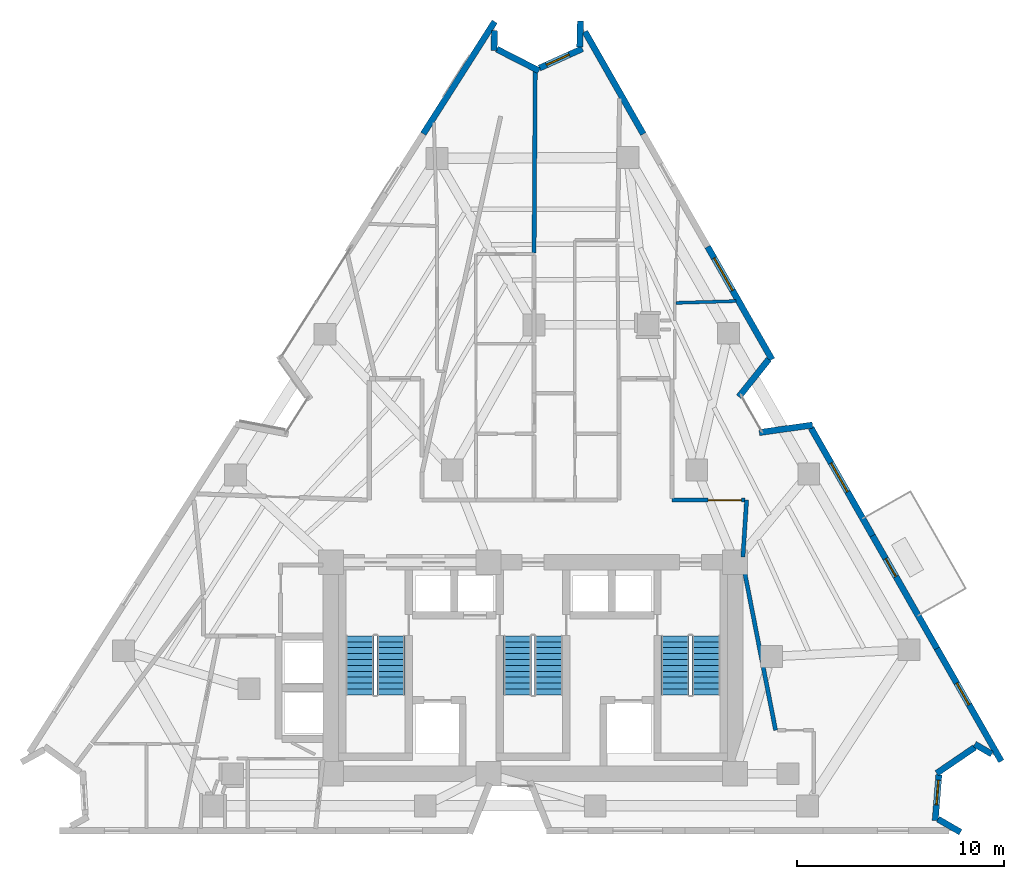
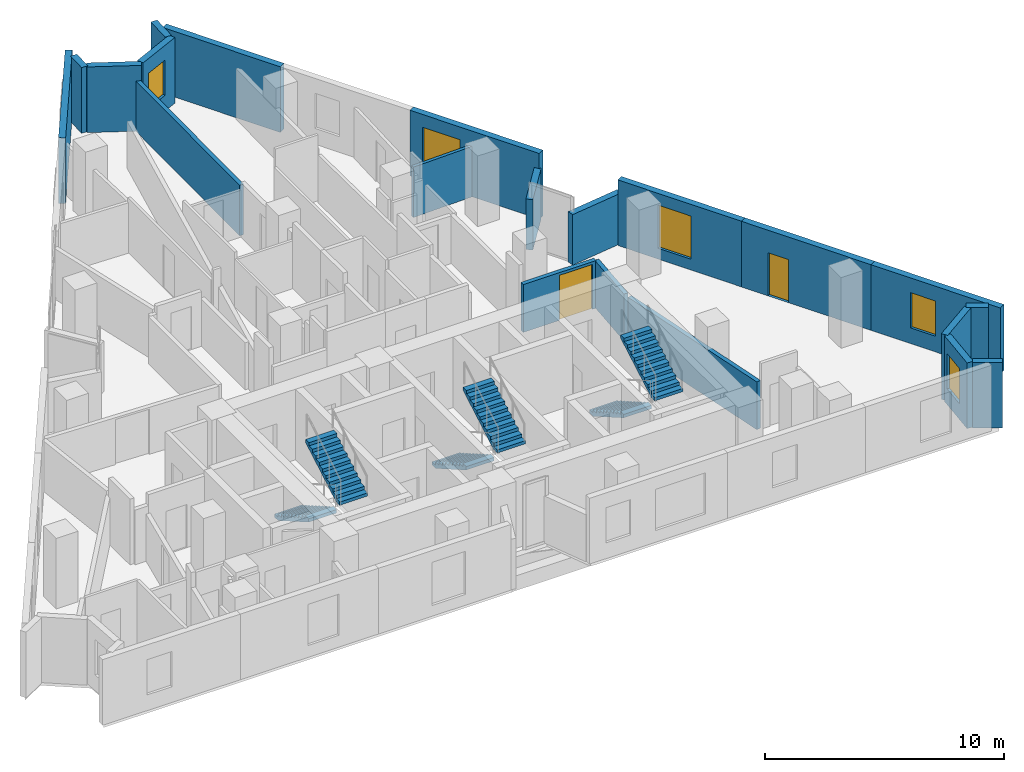
# One storey, part 9 of 11: 21 walls, 6 stair flights, 5 windows, 2 doors, 7 openings, 3 elements without a shape of their own.
"""IFC4 building model written with IfcOpenShell, lengths in metres."""

from ifc_helpers import new_model, si_unit, direction, frame, frame_2d, origin, place, context, subcontext, project, spatial, polyline, rectangle, outline, extrude, material, layer, layer_set, type_object, element, fill, aggregate, save


model = new_model("IFC4")

# Units and contexts
model_context = context("Model", 3, precision=1e-05, world=origin(), true_north=direction((0.0, 1.0)))
body_context = subcontext(model_context, "Body", "Model", "MODEL_VIEW")
ifc_project = project(units=[si_unit("LENGTHUNIT", "METRE"), si_unit("AREAUNIT", "SQUARE_METRE"), si_unit("VOLUMEUNIT", "CUBIC_METRE"), si_unit("PLANEANGLEUNIT", "RADIAN"), si_unit("MASSUNIT", "GRAM", prefix="KILO")], contexts=[model_context])

# Site, building, storey
site_placement = place(None, origin())
site = spatial("IfcSite", under=ifc_project, at=site_placement, CompositionType="ELEMENT")
building_placement = place(site_placement, origin())
building = spatial("IfcBuilding", under=site, at=building_placement, Name="Almagre Mirador Tower", CompositionType="ELEMENT")
storey_placement = place(building_placement, frame((0.0, 0.0, 146.39990234375)))
storey = spatial("IfcBuildingStorey", under=building, at=storey_placement, Name="L37", CompositionType="ELEMENT", Elevation=146.39990234375)

# Walls
ifc_material_1 = material(Name="Precast concrete C50/60", Category="concrete")
ifc_layer_1 = layer(ifc_material_1, 0.300048828125)
ifc_layer_set_1 = layer_set([ifc_layer_1], Name="Precast concrete C50/60")
wall_type_1 = type_object("IfcWallType", Name="WAL-EXT-300", PredefinedType="SOLIDWALL", material=ifc_layer_set_1)
wall_1_placement = place(storey_placement, frame((32.0078125, 35.418212890625, 0.0), z_axis=(0.0, 0.0, 1.0), x_axis=(0.537080002797, 0.84353130979, 0.0)))
element("IfcWall", 1, at=wall_1_placement, inside=storey, type_object=wall_type_1, Name="L37 expressed almagre precast frame wall 04", PredefinedType="SOLIDWALL", context=body_context, shape_type="SweptSolid", body=[
    extrude(rectangle(XDim=6.410888671875, YDim=0.300048828125, at=frame_2d((3.20556640625, 0.0))), origin(), (0.0, 0.0, 1.0), 3.35009765625),
])
wall_2_placement = place(storey_placement, frame((35.440673828125, 40.39111328125, 0.0), z_axis=(0.0, 0.0, 1.0), x_axis=(-0.023772687739, -0.999717389725, 0.0)))
element("IfcWall", 2, at=wall_2_placement, inside=storey, type_object=wall_type_1, Name="L37 expressed almagre precast frame wall 05", PredefinedType="SOLIDWALL", context=body_context, shape_type="SweptSolid", body=[
    extrude(rectangle(XDim=0.96533203125, YDim=0.300048828125, at=frame_2d((0.482666015625, 0.0))), origin(), (0.0, 0.0, 1.0), 3.35009765625),
])
wall_3_placement = place(storey_placement, frame((35.550048828125, 39.5, 0.0), z_axis=(0.0, 0.0, 1.0), x_axis=(0.890379913817, -0.455218199408, 0.0)))
element("IfcWall", 3, at=wall_3_placement, inside=storey, type_object=wall_type_1, Name="L37 expressed almagre precast frame wall 06", PredefinedType="SOLIDWALL", context=body_context, shape_type="SweptSolid", body=[
    extrude(rectangle(XDim=2.28857421875, YDim=0.300048828125, at=frame_2d((1.144287109375, 0.0))), origin(), (0.0, 0.0, 1.0), 3.35009765625),
])

# Wall, opening, window
wall_4_placement = place(storey_placement, frame((37.60888671875, 38.587890625, 0.0), z_axis=(0.0, 0.0, 1.0), x_axis=(0.911273073729, 0.411802604528, 0.0)))
wall_4 = element("IfcWall", 4, at=wall_4_placement, inside=storey, type_object=wall_type_1, Name="L37 expressed almagre precast frame wall 07", PredefinedType="SOLIDWALL", context=body_context, shape_type="SweptSolid", body=[
    extrude(rectangle(XDim=2.2724609375, YDim=0.300048828125, at=frame_2d((1.13623046875, 0.0))), origin(), (0.0, 0.0, 1.0), 3.35009765625),
])
opening_1_placement = place(wall_4_placement, frame((0.375, 0.0, 0.800048828125)))
opening_1 = element("IfcOpeningElement", 5, at=opening_1_placement, cuts=wall_4, Name="Opening WN-04", PredefinedType="OPENING", context=body_context, shape_type="SweptSolid", body=[
    extrude(rectangle(XDim=1.199951171875, YDim=1.800048828125, at=frame_2d((0.60009765625, 0.89990234375))), frame((0.0, 0.159902, 0.0), z_axis=(0.0, -1.0, 0.0), x_axis=(1.0, 0.0, 0.0)), (0.0, 0.0, 1.0), 0.320049),
])
ifc_material_2 = material(Name="Dark solar-control laminated hurricane glass", Category="glass")
window_type_1 = type_object("IfcWindowType", Name="WIN-1200X1800", PartitioningType="SINGLE_PANEL", PredefinedType="WINDOW", material=ifc_material_2)
window_1_placement = place(opening_1_placement, origin())
window_1 = element("IfcWindow", 6, at=window_1_placement, inside=storey, type_object=window_type_1, Name="L37 recessed hurricane window L37-UJ-SL1", OverallHeight=1.800048828125, OverallWidth=1.199951171875, PartitioningType="SINGLE_PANEL", PredefinedType="WINDOW", context=body_context, shape_type="SweptSolid", body=[
    extrude(rectangle(XDim=1.199951171875, YDim=1.800048828125, at=frame_2d((0.60009765625, 0.89990234375))), frame((0.0, 0.030029296875, 0.0), z_axis=(0.0, -1.0, 0.0), x_axis=(1.0, 0.0, 0.0)), (0.0, 0.0, 1.0), 0.06005859375),
])
fill(opening_1, window_1)

# Walls
wall_5_placement = place(storey_placement, frame((39.555419921875, 39.60595703125, 0.0), z_axis=(0.0, 0.0, 1.0), x_axis=(0.024600187161, 0.999697369603, 0.0)))
element("IfcWall", 7, at=wall_5_placement, inside=storey, type_object=wall_type_1, Name="L37 expressed almagre precast frame wall 08", PredefinedType="SOLIDWALL", context=body_context, shape_type="SweptSolid", body=[
    extrude(rectangle(XDim=1.260498046875, YDim=0.300048828125, at=frame_2d((0.63037109375, 0.0))), origin(), (0.0, 0.0, 1.0), 3.35009765625),
])
wall_6_placement = place(storey_placement, frame((39.801025390625, 40.343994140625, 0.0), z_axis=(0.0, 0.0, 1.0), x_axis=(0.495680881571, -0.868504728625, 0.0)))
element("IfcWall", 8, at=wall_6_placement, inside=storey, type_object=wall_type_1, Name="L37 expressed almagre precast frame wall 09", PredefinedType="SOLIDWALL", context=body_context, shape_type="SweptSolid", body=[
    extrude(rectangle(XDim=5.683349609375, YDim=0.300048828125, at=frame_2d((2.841796875, 0.0))), origin(), (0.0, 0.0, 1.0), 3.35009765625),
])

# Wall, opening, window
wall_7_placement = place(storey_placement, frame((45.722900390625, 29.968017578125, 0.0), z_axis=(0.0, 0.0, 1.0), x_axis=(0.495668707769, -0.868511676455, 0.0)))
wall_7 = element("IfcWall", 9, at=wall_7_placement, inside=storey, type_object=wall_type_1, Name="L37 expressed almagre precast frame wall 11", PredefinedType="SOLIDWALL", context=body_context, shape_type="SweptSolid", body=[
    extrude(rectangle(XDim=6.26318359375, YDim=0.300048828125, at=frame_2d((3.131591796875, 0.0))), origin(), (0.0, 0.0, 1.0), 3.35009765625),
])
opening_2_placement = place(wall_7_placement, frame((0.625, 0.0, 0.60009765625)))
opening_2 = element("IfcOpeningElement", 10, at=opening_2_placement, cuts=wall_7, Name="Opening WN-01", PredefinedType="OPENING", context=body_context, shape_type="SweptSolid", body=[
    extrude(rectangle(XDim=1.800048828125, YDim=2.10009765625, at=frame_2d((0.89990234375, 1.050048828125))), frame((0.0, 0.159902, 0.0), z_axis=(0.0, -1.0, 0.0), x_axis=(1.0, 0.0, 0.0)), (0.0, 0.0, 1.0), 0.320049),
])
ifc_material_3 = material(Name="Dark solar-control laminated hurricane glass", Category="glass")
window_type_2 = type_object("IfcWindowType", Name="WIN-1800X2100", PartitioningType="DOUBLE_PANEL_VERTICAL", PredefinedType="WINDOW", material=ifc_material_3)
window_2_placement = place(opening_2_placement, origin())
window_2 = element("IfcWindow", 11, at=window_2_placement, inside=storey, type_object=window_type_2, Name="L37 recessed hurricane window L37-UK-BT", OverallHeight=2.10009765625, OverallWidth=1.800048828125, PartitioningType="SINGLE_PANEL", PredefinedType="WINDOW", context=body_context, shape_type="SweptSolid", body=[
    extrude(rectangle(XDim=1.800048828125, YDim=2.10009765625, at=frame_2d((0.89990234375, 1.050048828125))), frame((0.0, 0.030029296875, 0.0), z_axis=(0.0, -1.0, 0.0), x_axis=(1.0, 0.0, 0.0)), (0.0, 0.0, 1.0), 0.06005859375),
])
fill(opening_2, window_2)

# Walls
wall_8_placement = place(storey_placement, frame((48.670654296875, 24.54052734375, 0.0), z_axis=(0.0, 0.0, 1.0), x_axis=(-0.623793605059, -0.781589110907, 0.0)))
element("IfcWall", 12, at=wall_8_placement, inside=storey, type_object=wall_type_1, Name="L37 expressed almagre precast frame wall 12", PredefinedType="SOLIDWALL", context=body_context, shape_type="SweptSolid", body=[
    extrude(rectangle(XDim=2.31298828125, YDim=0.300048828125, at=frame_2d((1.156494140625, 0.0))), origin(), (0.0, 0.0, 1.0), 2.5751953125),
])
wall_9_placement = place(storey_placement, frame((48.21240234375, 21.007568359375, 0.0), z_axis=(0.0, 0.0, 1.0), x_axis=(0.990220644741, 0.139510124109, 0.0)))
element("IfcWall", 13, at=wall_9_placement, inside=storey, type_object=wall_type_1, Name="L37 expressed almagre precast frame wall 13", PredefinedType="SOLIDWALL", context=body_context, shape_type="SweptSolid", body=[
    extrude(rectangle(XDim=2.593505859375, YDim=0.300048828125, at=frame_2d((1.296875, 0.0))), origin(), (0.0, 0.0, 1.0), 2.5751953125),
])

# Wall, opening, window
wall_10_placement = place(storey_placement, frame((50.71142578125, 21.228515625, 0.0), z_axis=(0.0, 0.0, 1.0), x_axis=(0.495681869553, -0.868504164755, 0.0)))
wall_10 = element("IfcWall", 14, at=wall_10_placement, inside=storey, type_object=wall_type_1, Name="L37 expressed almagre precast frame wall 14", PredefinedType="SOLIDWALL", context=body_context, shape_type="SweptSolid", body=[
    extrude(rectangle(XDim=5.9833984375, YDim=0.300048828125, at=frame_2d((2.99169921875, 0.0))), origin(), (0.0, 0.0, 1.0), 3.35009765625),
])
opening_3_placement = place(wall_10_placement, frame((1.945068359375, 0.0, 0.550048828125)))
opening_3 = element("IfcOpeningElement", 15, at=opening_3_placement, cuts=wall_10, Name="Opening WN-06", PredefinedType="OPENING", context=body_context, shape_type="SweptSolid", body=[
    extrude(rectangle(XDim=1.60009765625, YDim=2.199951171875, at=frame_2d((0.800048828125, 1.10009765625))), frame((0.0, 0.159902, 0.0), z_axis=(0.0, -1.0, 0.0), x_axis=(1.0, 0.0, 0.0)), (0.0, 0.0, 1.0), 0.320049),
])
ifc_material_4 = material(Name="Dark solar-control laminated hurricane glass", Category="glass")
window_type_3 = type_object("IfcWindowType", Name="WIN-1600X2200", PartitioningType="DOUBLE_PANEL_VERTICAL", PredefinedType="WINDOW", material=ifc_material_4)
window_3_placement = place(opening_3_placement, origin())
window_3 = element("IfcWindow", 16, at=window_3_placement, inside=storey, type_object=window_type_3, Name="L37 recessed hurricane window L37-RST-E", OverallHeight=2.199951171875, OverallWidth=1.60009765625, PartitioningType="SINGLE_PANEL", PredefinedType="WINDOW", context=body_context, shape_type="SweptSolid", body=[
    extrude(rectangle(XDim=1.60009765625, YDim=2.199951171875, at=frame_2d((0.800048828125, 1.10009765625))), frame((0.0, 0.030029296875, 0.0), z_axis=(0.0, -1.0, 0.0), x_axis=(1.0, 0.0, 0.0)), (0.0, 0.0, 1.0), 0.06005859375),
])
fill(opening_3, window_3)

# Wall, opening, door
wall_11_placement = place(storey_placement, frame((53.67724609375, 16.031982421875, 0.0), z_axis=(0.0, 0.0, 1.0), x_axis=(0.495651927619, -0.868521252847, 0.0)))
wall_11 = element("IfcWall", 17, at=wall_11_placement, inside=storey, type_object=wall_type_1, Name="L37 expressed almagre precast frame wall 15", PredefinedType="SOLIDWALL", context=body_context, shape_type="SweptSolid", body=[
    extrude(rectangle(XDim=6.263427734375, YDim=0.300048828125, at=frame_2d((3.1318359375, 0.0))), origin(), (0.0, 0.0, 1.0), 3.35009765625),
])
opening_4_placement = place(wall_11_placement, frame((1.275146484375, 0.0, 0.0)))
opening_4 = element("IfcOpeningElement", 18, at=opening_4_placement, cuts=wall_11, Name="Opening BD-01", PredefinedType="OPENING", context=body_context, shape_type="SweptSolid", body=[
    extrude(rectangle(XDim=1.0, YDim=2.199951171875, at=frame_2d((0.5, 1.10009765625))), frame((0.0, 0.159902, 0.0), z_axis=(0.0, -1.0, 0.0), x_axis=(1.0, 0.0, 0.0)), (0.0, 0.0, 1.0), 0.320049),
])
ifc_material_5 = material(Name="Black anodized aluminium and laminated glass", Category="aluminium")
door_type_1 = type_object("IfcDoorType", Name="DOR-BAL-1000X2200", OperationType="NOTDEFINED", PredefinedType="DOOR", material=ifc_material_5)
door_1_placement = place(opening_4_placement, origin())
door_1 = element("IfcDoor", 19, at=door_1_placement, inside=storey, type_object=door_type_1, Name="DR-1191 L37 east balcony glazed door 2", OperationType="SINGLE_SWING_LEFT", OverallHeight=2.199951171875, OverallWidth=1.0, PredefinedType="DOOR", context=body_context, shape_type="SweptSolid", body=[
    extrude(rectangle(XDim=1.0, YDim=2.199951171875, at=frame_2d((0.5, 1.10009765625))), frame((0.0, 0.02490234375, 0.0), z_axis=(0.0, -1.0, 0.0), x_axis=(1.0, 0.0, 0.0)), (0.0, 0.0, 1.0), 0.050048828125),
])
fill(opening_4, door_1)

# Wall, opening, window
wall_12_placement = place(storey_placement, frame((56.78173828125, 10.592041015625, 0.0), z_axis=(0.0, 0.0, 1.0), x_axis=(0.495698109962, -0.868494895656, 0.0)))
wall_12 = element("IfcWall", 20, at=wall_12_placement, inside=storey, type_object=wall_type_1, Name="L37 expressed almagre precast frame wall 16", PredefinedType="SOLIDWALL", context=body_context, shape_type="SweptSolid", body=[
    extrude(rectangle(XDim=6.263427734375, YDim=0.300048828125, at=frame_2d((3.1318359375, 0.0))), origin(), (0.0, 0.0, 1.0), 3.35009765625),
])
opening_5_placement = place(wall_12_placement, frame((1.925048828125, 0.0, 0.800048828125)))
opening_5 = element("IfcOpeningElement", 21, at=opening_5_placement, cuts=wall_12, Name="Opening WN-04", PredefinedType="OPENING", context=body_context, shape_type="SweptSolid", body=[
    extrude(rectangle(XDim=1.199951171875, YDim=1.800048828125, at=frame_2d((0.60009765625, 0.89990234375))), frame((0.0, 0.159902, 0.0), z_axis=(0.0, -1.0, 0.0), x_axis=(1.0, 0.0, 0.0)), (0.0, 0.0, 1.0), 0.320049),
])
window_4_placement = place(opening_5_placement, origin())
window_4 = element("IfcWindow", 22, at=window_4_placement, inside=storey, type_object=window_type_1, Name="L37 recessed hurricane window L37-RST-E", OverallHeight=1.800048828125, OverallWidth=1.199951171875, PartitioningType="SINGLE_PANEL", PredefinedType="WINDOW", context=body_context, shape_type="SweptSolid", body=[
    extrude(rectangle(XDim=1.199951171875, YDim=1.800048828125, at=frame_2d((0.60009765625, 0.89990234375))), frame((0.0, 0.030029296875, 0.0), z_axis=(0.0, -1.0, 0.0), x_axis=(1.0, 0.0, 0.0)), (0.0, 0.0, 1.0), 0.06005859375),
])
fill(opening_5, window_4)

# Walls
wall_13_placement = place(storey_placement, frame((59.427978515625, 5.5, 0.0), z_axis=(0.0, 0.0, 1.0), x_axis=(-0.864533162895, 0.502575775635, 0.0)))
element("IfcWall", 23, at=wall_13_placement, inside=storey, type_object=wall_type_1, Name="L37 expressed almagre precast frame wall 17", PredefinedType="SOLIDWALL", context=body_context, shape_type="SweptSolid", body=[
    extrude(rectangle(XDim=0.94970703125, YDim=0.300048828125, at=frame_2d((0.474853515625, 0.0))), origin(), (0.0, 0.0, 1.0), 3.35009765625),
])
wall_14_placement = place(storey_placement, frame((58.6083984375, 5.8251953125, 0.0), z_axis=(0.0, 0.0, 1.0), x_axis=(-0.8261738865, -0.563415219234, 0.0)))
element("IfcWall", 24, at=wall_14_placement, inside=storey, type_object=wall_type_1, Name="L37 expressed almagre precast frame wall 18", PredefinedType="SOLIDWALL", context=body_context, shape_type="SweptSolid", body=[
    extrude(rectangle(XDim=2.222412109375, YDim=0.300048828125, at=frame_2d((1.111328125, 0.0))), origin(), (0.0, 0.0, 1.0), 3.35009765625),
])

# Wall, opening, window
wall_15_placement = place(storey_placement, frame((56.8759765625, 4.50244140625, 0.0), z_axis=(0.0, 0.0, 1.0), x_axis=(-0.079981668757, -0.996796334595, 0.0)))
wall_15 = element("IfcWall", 25, at=wall_15_placement, inside=storey, type_object=wall_type_1, Name="L37 expressed almagre precast frame wall 19", PredefinedType="SOLIDWALL", context=body_context, shape_type="SweptSolid", body=[
    extrude(rectangle(XDim=2.216064453125, YDim=0.300048828125, at=frame_2d((1.10791015625, 0.0))), origin(), (0.0, 0.0, 1.0), 3.35009765625),
])
opening_6_placement = place(wall_15_placement, frame((0.260009765625, 0.0, 0.800048828125)))
opening_6 = element("IfcOpeningElement", 26, at=opening_6_placement, cuts=wall_15, Name="Opening WN-04", PredefinedType="OPENING", context=body_context, shape_type="SweptSolid", body=[
    extrude(rectangle(XDim=1.199951171875, YDim=1.800048828125, at=frame_2d((0.60009765625, 0.89990234375))), frame((0.0, 0.159902, 0.0), z_axis=(0.0, -1.0, 0.0), x_axis=(1.0, 0.0, 0.0)), (0.0, 0.0, 1.0), 0.320049),
])
window_5_placement = place(opening_6_placement, origin())
window_5 = element("IfcWindow", 27, at=window_5_placement, inside=storey, type_object=window_type_1, Name="L37 recessed hurricane window L37-UD-ST", OverallHeight=1.800048828125, OverallWidth=1.199951171875, PartitioningType="SINGLE_PANEL", PredefinedType="WINDOW", context=body_context, shape_type="SweptSolid", body=[
    extrude(rectangle(XDim=1.199951171875, YDim=1.800048828125, at=frame_2d((0.60009765625, 0.89990234375))), frame((0.0, 0.030029296875, 0.0), z_axis=(0.0, -1.0, 0.0), x_axis=(1.0, 0.0, 0.0)), (0.0, 0.0, 1.0), 0.06005859375),
])
fill(opening_6, window_5)

# Walls
wall_16_placement = place(storey_placement, frame((56.83544921875, 2.360107421875, 0.0), z_axis=(0.0, 0.0, 1.0), x_axis=(0.864799842676, -0.502116751471, 0.0)))
element("IfcWall", 28, at=wall_16_placement, inside=storey, type_object=wall_type_1, Name="L37 expressed almagre precast frame wall 20", PredefinedType="SOLIDWALL", context=body_context, shape_type="SweptSolid", body=[
    extrude(rectangle(XDim=1.25537109375, YDim=0.300048828125, at=frame_2d((0.627685546875, 0.0))), origin(), (0.0, 0.0, 1.0), 3.35009765625),
])
ifc_material_6 = material(Name="Gypsum acoustic stud partition", Category="other")
ifc_layer_2 = layer(ifc_material_6, 0.14990234375)
ifc_layer_set_2 = layer_set([ifc_layer_2], Name="Gypsum acoustic stud partition")
wall_type_2 = type_object("IfcWallType", Name="WAL-PRT-150-STD", PredefinedType="PARTITIONING", material=ifc_layer_set_2)
wall_17_placement = place(storey_placement, frame((44.199951171875, 27.261474609375, 0.0), z_axis=(0.0, 0.0, 1.0), x_axis=(0.999550684122, 0.029973819753, 0.0)))
element("IfcWall", 29, at=wall_17_placement, inside=storey, type_object=wall_type_2, Name="L37 interior partition 074", PredefinedType="PARTITIONING", context=body_context, shape_type="SweptSolid", body=[
    extrude(rectangle(XDim=2.88330078125, YDim=0.14990234375, at=frame_2d((1.441650390625, 0.0))), origin(), (0.0, 0.0, 1.0), 2.570068359375),
])
ifc_material_7 = material(Name="Gypsum acoustic stud partition", Category="other")
ifc_layer_3 = layer(ifc_material_7, 0.199951171875)
ifc_layer_set_3 = layer_set([ifc_layer_3], Name="Gypsum acoustic stud partition")
wall_type_3 = type_object("IfcWallType", Name="WAL-PRT-200-EI60", PredefinedType="PARTITIONING", material=ifc_layer_set_3)
wall_18_placement = place(storey_placement, frame((47.425048828125, 15.0, 0.0), z_axis=(0.0, 0.0, 1.0), x_axis=(0.063525551516, 0.997980212381, 0.0)))
element("IfcWall", 30, at=wall_18_placement, inside=storey, type_object=wall_type_3, Name="L37 interior partition 004", PredefinedType="PARTITIONING", context=body_context, shape_type="SweptSolid", body=[
    extrude(rectangle(XDim=2.755615234375, YDim=0.199951171875, at=frame_2d((1.3779296875, 0.0))), origin(), (0.0, 0.0, 1.0), 2.39306640625),
])

# Wall, opening, door
wall_19_placement = place(storey_placement, frame((47.514892578125, 17.75, 0.0), z_axis=(0.0, 0.0, 1.0), x_axis=(-1.0, 0.0, 0.0)))
wall_19 = element("IfcWall", 31, at=wall_19_placement, inside=storey, type_object=wall_type_3, Name="L37 interior partition 005", PredefinedType="PARTITIONING", context=body_context, shape_type="SweptSolid", body=[
    extrude(rectangle(XDim=3.514892578125, YDim=0.199951171875, at=frame_2d((1.75732421875, 0.0))), origin(), (0.0, 0.0, 1.0), 2.43603515625),
])
opening_7_placement = place(wall_19_placement, frame((0.169677734375, 0.0, 0.0)))
opening_7 = element("IfcOpeningElement", 32, at=opening_7_placement, cuts=wall_19, Name="Opening ID-05", PredefinedType="OPENING", context=body_context, shape_type="SweptSolid", body=[
    extrude(rectangle(XDim=1.60009765625, YDim=2.300048828125, at=frame_2d((0.800048828125, 1.14990234375))), frame((0.0, 0.110098, 0.0), z_axis=(0.0, -1.0, 0.0), x_axis=(1.0, 0.0, 0.0)), (0.0, 0.0, 1.0), 0.219951),
])
ifc_material_8 = material(Name="Fire-rated acoustic timber", Category="wood")
door_type_2 = type_object("IfcDoorType", Name="DOR-FD60-1600X2300", OperationType="DOUBLE_DOOR_SINGLE_SWING", PredefinedType="DOOR", material=ifc_material_8)
door_2_placement = place(opening_7_placement, origin())
door_2 = element("IfcDoor", 33, at=door_2_placement, inside=storey, type_object=door_type_2, Name="DR-1197 L37 interior door L37-RCOR to L37-RST-E", OperationType="DOUBLE_DOOR_SINGLE_SWING", OverallHeight=2.300048828125, OverallWidth=1.60009765625, PredefinedType="DOOR", context=body_context, shape_type="SweptSolid", body=[
    extrude(rectangle(XDim=1.60009765625, YDim=2.300048828125, at=frame_2d((0.800048828125, 1.14990234375))), frame((0.0, 0.02490234375, 0.0), z_axis=(0.0, -1.0, 0.0), x_axis=(1.0, 0.0, 0.0)), (0.0, 0.0, 1.0), 0.050048828125),
])
fill(opening_7, door_2)

# Walls
wall_20_placement = place(storey_placement, frame((49.0, 6.64990234375, 0.0), z_axis=(0.0, 0.0, 1.0), x_axis=(-0.192234966939, 0.98134892749, 0.0)))
element("IfcWall", 34, at=wall_20_placement, inside=storey, type_object=wall_type_3, Name="L37 interior partition 036", PredefinedType="PARTITIONING", context=body_context, shape_type="SweptSolid", body=[
    extrude(rectangle(XDim=8.19287109375, YDim=0.199951171875, at=frame_2d((4.096435546875, 0.0))), origin(), (0.0, 0.0, 1.0), 2.43603515625),
])
wall_21_placement = place(storey_placement, frame((37.350341796875, 29.66748046875, 0.0), z_axis=(0.0, 0.0, 1.0), x_axis=(0.006351731458, 0.99997982755, 0.0)))
element("IfcWall", 35, at=wall_21_placement, inside=storey, type_object=wall_type_3, Name="L37 interior partition 053", PredefinedType="PARTITIONING", context=body_context, shape_type="SweptSolid", body=[
    extrude(rectangle(XDim=8.763671875, YDim=0.199951171875, at=frame_2d((4.3818359375, 0.0))), origin(), (0.0, 0.0, 1.0), 2.570068359375),
])

# Stair, stair flights
ifc_material_9 = material(Name="Concrete C45/55", Category="concrete")
stair_type = type_object("IfcStairType", Name="STR-DL-3600", PredefinedType="HALF_TURN_STAIR", material=ifc_material_9)
stair_1_placement = place(storey_placement, origin())
stair_1 = element("IfcStair", 36, at=stair_1_placement, inside=storey, type_object=stair_type, Name="L37 Protected exit stair ST-1", PredefinedType="HALF_TURN_STAIR")
ifc_material_10 = material(Name="Concrete C45/55", Category="concrete")
stair_flight_type = type_object("IfcStairFlightType", Name="FLT-DL-3600", PredefinedType="STRAIGHT", material=ifc_material_10)
stair_flight_1_placement = place(storey_placement, frame((28.949951171875, 11.199951171875, 0.0), z_axis=(0.0, 0.0, 1.0), x_axis=(0.0, -1.0, 0.0)))
stair_flight_1 = element("IfcStairFlight", 37, at=stair_flight_1_placement, type_object=stair_flight_type, Name="ST-1 flight 1", NumberOfRisers=11, NumberOfTreads=10, PredefinedType="STRAIGHT", RiserHeight=0.163636364, TreadLength=0.285, context=body_context, shape_type="SweptSolid", body=[
    extrude(outline(polyline([(0.0, 0.0), (0.0, 0.16357421875), (0.284912109375, 0.16357421875), (0.284912109375, 0.327392578125), (0.570068359375, 0.327392578125), (0.570068359375, 0.490966796875), (0.85498046875, 0.490966796875), (0.85498046875, 0.654541015625), (1.139892578125, 0.654541015625), (1.139892578125, 0.818115234375), (1.425048828125, 0.818115234375), (1.425048828125, 0.98193359375), (1.7099609375, 0.98193359375), (1.7099609375, 1.1455078125), (1.9951171875, 1.1455078125), (1.9951171875, 1.30908203125), (2.280029296875, 1.30908203125), (2.280029296875, 1.47265625), (2.56494140625, 1.47265625), (2.56494140625, 1.636474609375), (2.85009765625, 1.636474609375), (2.85009765625, 1.800048828125), (2.85009765625, 1.463623046875), (0.301025390625, 0.0), (0.0, 0.0)])), frame((0.0, 0.675048828125, 0.0), z_axis=(0.0, -1.0, 0.0), x_axis=(1.0, 0.0, 0.0)), (0.0, 0.0, 1.0), 1.35009765625),
])
stair_flight_2_placement = place(storey_placement, frame((30.449951171875, 8.35009765625, 1.800048828125), z_axis=(0.0, 0.0, 1.0), x_axis=(0.0, 1.0, 0.0)))
stair_flight_2 = element("IfcStairFlight", 38, at=stair_flight_2_placement, type_object=stair_flight_type, Name="ST-1 flight 2", NumberOfRisers=11, NumberOfTreads=10, PredefinedType="STRAIGHT", RiserHeight=0.163636364, TreadLength=0.285, context=body_context, shape_type="SweptSolid", body=[
    extrude(outline(polyline([(0.0, 0.0), (0.0, 0.16357421875), (0.284912109375, 0.16357421875), (0.284912109375, 0.327392578125), (0.570068359375, 0.327392578125), (0.570068359375, 0.490966796875), (0.85498046875, 0.490966796875), (0.85498046875, 0.654541015625), (1.139892578125, 0.654541015625), (1.139892578125, 0.818115234375), (1.425048828125, 0.818115234375), (1.425048828125, 0.98193359375), (1.7099609375, 0.98193359375), (1.7099609375, 1.1455078125), (1.9951171875, 1.1455078125), (1.9951171875, 1.30908203125), (2.280029296875, 1.30908203125), (2.280029296875, 1.47265625), (2.56494140625, 1.47265625), (2.56494140625, 1.636474609375), (2.85009765625, 1.636474609375), (2.85009765625, 1.800048828125), (2.85009765625, 1.463623046875), (0.301025390625, 0.0), (0.0, 0.0)])), frame((0.0, 0.675048828125, 0.0), z_axis=(0.0, -1.0, 0.0), x_axis=(1.0, 0.0, 0.0)), (0.0, 0.0, 1.0), 1.35009765625),
])
aggregate(stair_1, [stair_flight_1, stair_flight_2])

stair_2_placement = place(storey_placement, origin())
stair_2 = element("IfcStair", 39, at=stair_2_placement, inside=storey, type_object=stair_type, Name="L37 Protected exit stair ST-2", PredefinedType="HALF_TURN_STAIR")
stair_flight_3_placement = place(storey_placement, frame((36.550048828125, 11.199951171875, 0.0), z_axis=(0.0, 0.0, 1.0), x_axis=(0.0, -1.0, 0.0)))
stair_flight_3 = element("IfcStairFlight", 40, at=stair_flight_3_placement, type_object=stair_flight_type, Name="ST-2 flight 1", NumberOfRisers=11, NumberOfTreads=10, PredefinedType="STRAIGHT", RiserHeight=0.163636364, TreadLength=0.285, context=body_context, shape_type="SweptSolid", body=[
    extrude(outline(polyline([(0.0, 0.0), (0.0, 0.16357421875), (0.284912109375, 0.16357421875), (0.284912109375, 0.327392578125), (0.570068359375, 0.327392578125), (0.570068359375, 0.490966796875), (0.85498046875, 0.490966796875), (0.85498046875, 0.654541015625), (1.139892578125, 0.654541015625), (1.139892578125, 0.818115234375), (1.425048828125, 0.818115234375), (1.425048828125, 0.98193359375), (1.7099609375, 0.98193359375), (1.7099609375, 1.1455078125), (1.9951171875, 1.1455078125), (1.9951171875, 1.30908203125), (2.280029296875, 1.30908203125), (2.280029296875, 1.47265625), (2.56494140625, 1.47265625), (2.56494140625, 1.636474609375), (2.85009765625, 1.636474609375), (2.85009765625, 1.800048828125), (2.85009765625, 1.463623046875), (0.301025390625, 0.0), (0.0, 0.0)])), frame((0.0, 0.675048828125, 0.0), z_axis=(0.0, -1.0, 0.0), x_axis=(1.0, 0.0, 0.0)), (0.0, 0.0, 1.0), 1.35009765625),
])
stair_flight_4_placement = place(storey_placement, frame((38.050048828125, 8.35009765625, 1.800048828125), z_axis=(0.0, 0.0, 1.0), x_axis=(0.0, 1.0, 0.0)))
stair_flight_4 = element("IfcStairFlight", 41, at=stair_flight_4_placement, type_object=stair_flight_type, Name="ST-2 flight 2", NumberOfRisers=11, NumberOfTreads=10, PredefinedType="STRAIGHT", RiserHeight=0.163636364, TreadLength=0.285, context=body_context, shape_type="SweptSolid", body=[
    extrude(outline(polyline([(0.0, 0.0), (0.0, 0.16357421875), (0.284912109375, 0.16357421875), (0.284912109375, 0.327392578125), (0.570068359375, 0.327392578125), (0.570068359375, 0.490966796875), (0.85498046875, 0.490966796875), (0.85498046875, 0.654541015625), (1.139892578125, 0.654541015625), (1.139892578125, 0.818115234375), (1.425048828125, 0.818115234375), (1.425048828125, 0.98193359375), (1.7099609375, 0.98193359375), (1.7099609375, 1.1455078125), (1.9951171875, 1.1455078125), (1.9951171875, 1.30908203125), (2.280029296875, 1.30908203125), (2.280029296875, 1.47265625), (2.56494140625, 1.47265625), (2.56494140625, 1.636474609375), (2.85009765625, 1.636474609375), (2.85009765625, 1.800048828125), (2.85009765625, 1.463623046875), (0.301025390625, 0.0), (0.0, 0.0)])), frame((0.0, 0.675048828125, 0.0), z_axis=(0.0, -1.0, 0.0), x_axis=(1.0, 0.0, 0.0)), (0.0, 0.0, 1.0), 1.35009765625),
])
aggregate(stair_2, [stair_flight_3, stair_flight_4])

stair_3_placement = place(storey_placement, origin())
stair_3 = element("IfcStair", 42, at=stair_3_placement, inside=storey, type_object=stair_type, Name="L37 Protected exit stair ST-3", PredefinedType="HALF_TURN_STAIR")
stair_flight_5_placement = place(storey_placement, frame((44.14990234375, 11.199951171875, 0.0), z_axis=(0.0, 0.0, 1.0), x_axis=(0.0, -1.0, 0.0)))
stair_flight_5 = element("IfcStairFlight", 43, at=stair_flight_5_placement, type_object=stair_flight_type, Name="ST-3 flight 1", NumberOfRisers=11, NumberOfTreads=10, PredefinedType="STRAIGHT", RiserHeight=0.163636364, TreadLength=0.285, context=body_context, shape_type="SweptSolid", body=[
    extrude(outline(polyline([(0.0, 0.0), (0.0, 0.16357421875), (0.284912109375, 0.16357421875), (0.284912109375, 0.327392578125), (0.570068359375, 0.327392578125), (0.570068359375, 0.490966796875), (0.85498046875, 0.490966796875), (0.85498046875, 0.654541015625), (1.139892578125, 0.654541015625), (1.139892578125, 0.818115234375), (1.425048828125, 0.818115234375), (1.425048828125, 0.98193359375), (1.7099609375, 0.98193359375), (1.7099609375, 1.1455078125), (1.9951171875, 1.1455078125), (1.9951171875, 1.30908203125), (2.280029296875, 1.30908203125), (2.280029296875, 1.47265625), (2.56494140625, 1.47265625), (2.56494140625, 1.636474609375), (2.85009765625, 1.636474609375), (2.85009765625, 1.800048828125), (2.85009765625, 1.463623046875), (0.301025390625, 0.0), (0.0, 0.0)])), frame((0.0, 0.675048828125, 0.0), z_axis=(0.0, -1.0, 0.0), x_axis=(1.0, 0.0, 0.0)), (0.0, 0.0, 1.0), 1.35009765625),
])
stair_flight_6_placement = place(storey_placement, frame((45.64990234375, 8.35009765625, 1.800048828125), z_axis=(0.0, 0.0, 1.0), x_axis=(0.0, 1.0, 0.0)))
stair_flight_6 = element("IfcStairFlight", 44, at=stair_flight_6_placement, type_object=stair_flight_type, Name="ST-3 flight 2", NumberOfRisers=11, NumberOfTreads=10, PredefinedType="STRAIGHT", RiserHeight=0.163636364, TreadLength=0.285, context=body_context, shape_type="SweptSolid", body=[
    extrude(outline(polyline([(0.0, 0.0), (0.0, 0.16357421875), (0.284912109375, 0.16357421875), (0.284912109375, 0.327392578125), (0.570068359375, 0.327392578125), (0.570068359375, 0.490966796875), (0.85498046875, 0.490966796875), (0.85498046875, 0.654541015625), (1.139892578125, 0.654541015625), (1.139892578125, 0.818115234375), (1.425048828125, 0.818115234375), (1.425048828125, 0.98193359375), (1.7099609375, 0.98193359375), (1.7099609375, 1.1455078125), (1.9951171875, 1.1455078125), (1.9951171875, 1.30908203125), (2.280029296875, 1.30908203125), (2.280029296875, 1.47265625), (2.56494140625, 1.47265625), (2.56494140625, 1.636474609375), (2.85009765625, 1.636474609375), (2.85009765625, 1.800048828125), (2.85009765625, 1.463623046875), (0.301025390625, 0.0), (0.0, 0.0)])), frame((0.0, 0.675048828125, 0.0), z_axis=(0.0, -1.0, 0.0), x_axis=(1.0, 0.0, 0.0)), (0.0, 0.0, 1.0), 1.35009765625),
])
aggregate(stair_3, [stair_flight_5, stair_flight_6])

save(model, "model.ifc")
